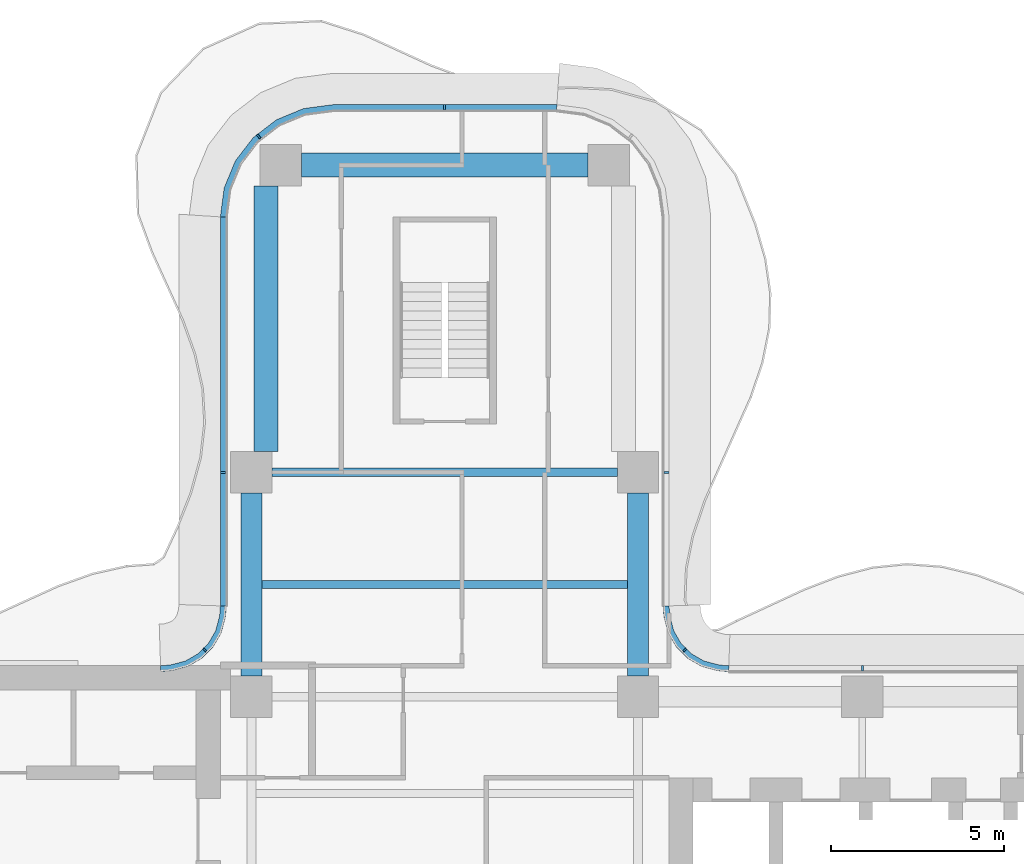
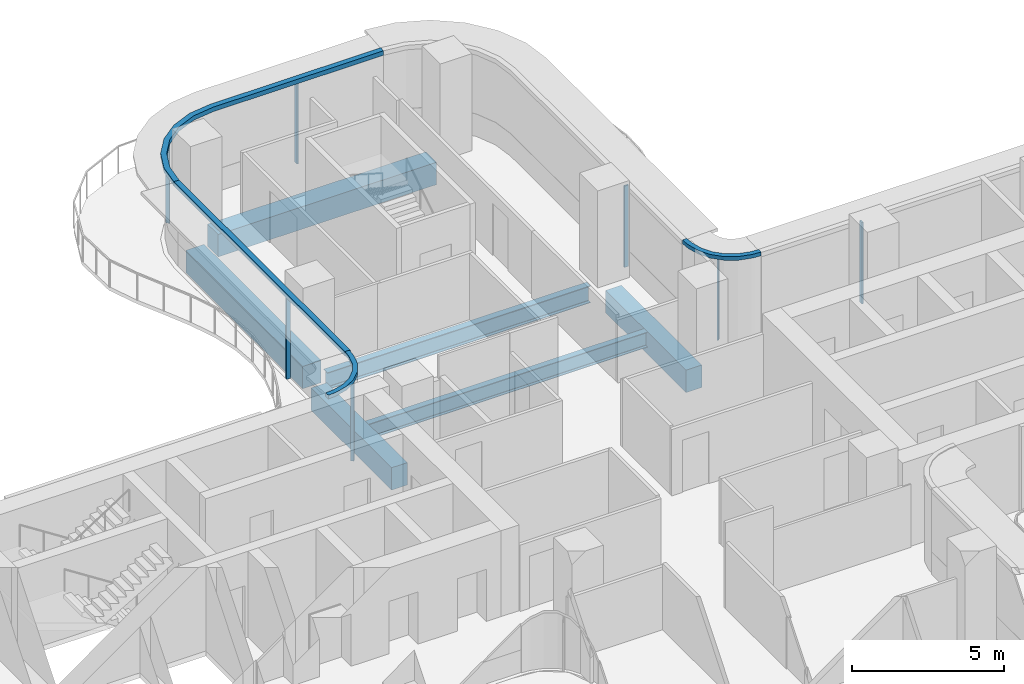
# One storey, part 7 of 17: 11 members, 6 beams, 6 elements without a shape of their own.
"""IFC4 building model written with IfcOpenShell, lengths in metres."""

from ifc_helpers import new_model, si_unit, direction, frame, origin, origin_2d, place, context, subcontext, project, spatial, polyline, rectangle, i_section, outline, extrude, source, transform, mapped, material, layer, layer_set, material_profile, profile_set, type_object, element, aggregate, save


model = new_model("IFC4")

# Units and contexts
model_context = context("Model", 3, precision=1e-05, world=origin(), true_north=direction((0.0, 1.0)))
body_context = subcontext(model_context, "Body", "Model", "MODEL_VIEW")
ifc_project = project(units=[si_unit("LENGTHUNIT", "METRE"), si_unit("AREAUNIT", "SQUARE_METRE"), si_unit("VOLUMEUNIT", "CUBIC_METRE"), si_unit("PLANEANGLEUNIT", "RADIAN"), si_unit("MASSUNIT", "GRAM", prefix="KILO")], contexts=[model_context])

# Site, building, storey
site_placement = place(None, origin())
site = spatial("IfcSite", under=ifc_project, at=site_placement, CompositionType="ELEMENT")
building_placement = place(site_placement, origin())
building = spatial("IfcBuilding", under=site, at=building_placement, Name="Trellis Farm Tower", CompositionType="ELEMENT")
storey_placement = place(building_placement, frame((0.0, 0.0, 208.800048828125)))
storey = spatial("IfcBuildingStorey", under=building, at=storey_placement, Name="L46", CompositionType="ELEMENT", Elevation=208.800048828125)

# Beams
ifc_material_1 = material(Name="Concrete C60/75", Category="concrete")
ifc_material_profile_1 = material_profile(ifc_material_1, rectangle(XDim=0.60009765625, YDim=0.89990234375, at=origin_2d()), Name="RC spandrel beam 600x900 C60/75")
ifc_profile_set_1 = profile_set([ifc_material_profile_1], Name="Concrete C60/75")
beam_type_1 = type_object("IfcBeamType", Name="RC spandrel beam 600x900 C60/75", PredefinedType="SPANDREL", material=ifc_profile_set_1)
shared_shape_1 = source(origin(), body_context, "Body", "SweptSolid", [
    extrude(rectangle(XDim=0.60009765625, YDim=0.89990234375, at=origin_2d()), origin(), (0.0, 0.0, 1.0), 5.300048828125),
])
for number, where, z_axis, x_axis, name in (
    (1, (-5.60009765625, 6.199951171875, -0.650146484375), (0.0, 1.0, 0.0), (-1.0, 0.0, 0.0), "Girder"),
    (2, (5.60009765625, 6.199951171875, -0.650146484375), (0.0, 1.0, 0.0), (-1.0, 0.0, 0.0), "Girder"),
):
    element("IfcBeam", number, at=place(storey_placement, frame(where, z_axis=z_axis, x_axis=x_axis)), inside=storey, type_object=beam_type_1, Name=name, PredefinedType="SPANDREL", context=body_context, shape_type="MappedRepresentation", body=[
        mapped(shared_shape_1, transform((0.0, 0.0, 0.0))),
    ])
ifc_material_2 = material(Name="Steel S355", Category="steel")
ifc_material_profile_2 = material_profile(ifc_material_2, i_section(OverallWidth=0.253662109375, OverallDepth=0.68359375, WebThickness=0.012451171875, FlangeThickness=0.021728515625, FilletRadius=0.01513671875, at=origin_2d()), Name="UB 686x254x140")
ifc_profile_set_2 = profile_set([ifc_material_profile_2], Name="Steel S355")
beam_type_2 = type_object("IfcBeamType", Name="UB 686x254x140", PredefinedType="BEAM", material=ifc_profile_set_2)
shared_shape_2 = source(origin(), body_context, "Body", "SweptSolid", [
    extrude(i_section(OverallWidth=0.253662109375, OverallDepth=0.68359375, WebThickness=0.012451171875, FlangeThickness=0.021728515625, FilletRadius=0.01513671875, at=origin_2d()), origin(), (0.0, 0.0, 1.0), 10.0),
])
beam_1_placement = place(storey_placement, frame((-5.0, 12.10009765625, -0.541748046875), z_axis=(1.0, 0.0, 0.0), x_axis=(0.0, 1.0, 0.0)))
element("IfcBeam", 3, at=beam_1_placement, inside=storey, type_object=beam_type_2, Name="Girder", PredefinedType="BEAM", context=body_context, shape_type="MappedRepresentation", body=[
    mapped(shared_shape_2, transform((0.0, 0.0, 0.0))),
])
ifc_material_profile_3 = material_profile(ifc_material_1, rectangle(XDim=0.699951171875, YDim=0.89990234375, at=origin_2d()), Name="RC spandrel beam 700x900 C60/75")
ifc_profile_set_3 = profile_set([ifc_material_profile_3], Name="Concrete C60/75")
beam_type_3 = type_object("IfcBeamType", Name="RC spandrel beam 700x900 C60/75", PredefinedType="SPANDREL", material=ifc_profile_set_3)
shared_shape_3 = source(origin(), body_context, "Body", "SweptSolid", [
    extrude(rectangle(XDim=0.699951171875, YDim=0.89990234375, at=origin_2d()), origin(), (0.0, 0.0, 1.0), 8.2998046875),
])
beam_2_placement = place(storey_placement, frame((-4.14990234375, 21.0, -0.650146484375), z_axis=(1.0, 0.0, 0.0), x_axis=(0.0, 1.0, 0.0)))
element("IfcBeam", 4, at=beam_2_placement, inside=storey, type_object=beam_type_3, Name="Girder", PredefinedType="SPANDREL", context=body_context, shape_type="MappedRepresentation", body=[
    mapped(shared_shape_3, transform((0.0, 0.0, 0.0))),
])
ifc_material_profile_4 = material_profile(ifc_material_2, i_section(OverallWidth=0.22900390625, OverallDepth=0.6123046875, WebThickness=0.011962890625, FlangeThickness=0.01953125, FilletRadius=0.0126953125, at=origin_2d()), Name="UB 610x229x125")
ifc_profile_set_4 = profile_set([ifc_material_profile_4], Name="Steel S355")
beam_type_4 = type_object("IfcBeamType", Name="UB 610x229x125 joist", PredefinedType="JOIST", material=ifc_profile_set_4)
shared_shape_4 = source(origin(), body_context, "Body", "SweptSolid", [
    extrude(i_section(OverallWidth=0.22900390625, OverallDepth=0.6123046875, WebThickness=0.011962890625, FlangeThickness=0.01953125, FilletRadius=0.0126953125, at=origin_2d()), origin(), (0.0, 0.0, 1.0), 10.60009765625),
])
beam_3_placement = place(storey_placement, frame((-5.300048828125, 8.85009765625, -0.506103515625), z_axis=(1.0, 0.0, 0.0), x_axis=(0.0, 1.0, 0.0)))
element("IfcBeam", 5, at=beam_3_placement, inside=storey, type_object=beam_type_4, Name="Floor beam", PredefinedType="JOIST", context=body_context, shape_type="MappedRepresentation", body=[
    mapped(shared_shape_4, transform((0.0, 0.0, 0.0))),
])
shared_shape_5 = source(origin(), body_context, "Body", "SweptSolid", [
    extrude(rectangle(XDim=0.699951171875, YDim=0.89990234375, at=origin_2d()), origin(), (0.0, 0.0, 1.0), 7.699951171875),
])
beam_4_placement = place(storey_placement, frame((-5.175048828125, 12.699951171875, -0.650146484375), z_axis=(0.0, 1.0, 0.0), x_axis=(-1.0, 0.0, 0.0)))
element("IfcBeam", 6, at=beam_4_placement, inside=storey, type_object=beam_type_3, Name="Girder", PredefinedType="SPANDREL", context=body_context, shape_type="MappedRepresentation", body=[
    mapped(shared_shape_5, transform((0.0, 0.0, 0.0))),
])

# Curtain wall, member
ifc_material_3 = material(Name="Aluminium and glass curtain wall", Category="aluminium")
ifc_layer_1 = layer(ifc_material_3, 0.166015625)
ifc_layer_set_1 = layer_set([ifc_layer_1], Name="WINTER GARDEN CURTAIN WALL CW3")
curtain_wall_type_1 = type_object("IfcCurtainWallType", Name="WINTER GARDEN CURTAIN WALL CW3", PredefinedType="NOTDEFINED", material=ifc_layer_set_1)
placement_1 = place(storey_placement, origin())
curtain_wall_1 = element("IfcCurtainWall", 7, at=placement_1, inside=storey, type_object=curtain_wall_type_1, Name="CW3 003", PredefinedType="NOTDEFINED")
ifc_material_4 = material(Name="Aluminium extrusion 6063-T6", Category="aluminium")
ifc_layer_2 = layer(ifc_material_4, 0.169921875)
ifc_layer_set_2 = layer_set([ifc_layer_2], Name="Aluminium extrusion 6063-T6")
member_type_1 = type_object("IfcMemberType", Name="CW3 TRANSOM 170x150", PredefinedType="USERDEFINED", material=ifc_layer_set_2)
shared_shape_6 = source(origin(), body_context, "Body", "SweptSolid", [
    extrude(outline(polyline([(8.2314453125, 6.5), (8.01953125, 6.513916015625), (7.91552734375, 6.527587890625), (7.508544921875, 6.63671875), (7.144287109375, 6.846923828125), (6.846923828125, 7.144287109375), (6.63671875, 7.508544921875), (6.527587890625, 7.91552734375), (6.513916015625, 8.01953125), (6.5, 8.2314453125), (6.330078125, 8.225830078125), (6.3447265625, 8.0029296875), (6.360595703125, 7.88232421875), (6.478271484375, 7.44287109375), (6.7109375, 7.0400390625), (7.0400390625, 6.7109375), (7.44287109375, 6.478271484375), (7.88232421875, 6.360595703125), (8.0029296875, 6.3447265625), (8.225830078125, 6.330078125), (8.2314453125, 6.5)])), origin(), (0.0, 0.0, 1.0), 0.14990234375),
])
placement_2 = place(storey_placement, frame((0.0, 0.0, 3.300048828125)))
member_1 = element("IfcMember", 8, at=placement_2, type_object=member_type_1, Name="TR3 003", ObjectType="TRANSOM", PredefinedType="USERDEFINED", context=body_context, shape_type="MappedRepresentation", body=[
    mapped(shared_shape_6, transform((0.0, 0.0, 0.0))),
])

curtain_wall_2 = element("IfcCurtainWall", 9, at=placement_1, inside=storey, type_object=curtain_wall_type_1, Name="CW3 004", PredefinedType="NOTDEFINED")
shared_shape_7 = source(origin(), body_context, "Body", "SweptSolid", [
    extrude(outline(polyline([(-6.5, 8.2314453125), (-6.513916015625, 8.01953125), (-6.527587890625, 7.91552734375), (-6.63671875, 7.508544921875), (-6.846923828125, 7.144287109375), (-7.144287109375, 6.846923828125), (-7.508544921875, 6.63671875), (-7.91552734375, 6.527587890625), (-8.01953125, 6.513916015625), (-8.2314453125, 6.5), (-8.225830078125, 6.330078125), (-8.0029296875, 6.3447265625), (-7.88232421875, 6.360595703125), (-7.44287109375, 6.478271484375), (-7.0400390625, 6.7109375), (-6.7109375, 7.0400390625), (-6.478271484375, 7.44287109375), (-6.360595703125, 7.88232421875), (-6.3447265625, 8.0029296875), (-6.330078125, 8.225830078125), (-6.5, 8.2314453125)])), origin(), (0.0, 0.0, 1.0), 0.14990234375),
])
member_2 = element("IfcMember", 10, at=placement_2, type_object=member_type_1, Name="TR3 004", ObjectType="TRANSOM", PredefinedType="USERDEFINED", context=body_context, shape_type="MappedRepresentation", body=[
    mapped(shared_shape_7, transform((0.0, 0.0, 0.0))),
])

ifc_layer_3 = layer(ifc_material_3, 0.18994140625)
ifc_layer_set_3 = layer_set([ifc_layer_3], Name="RIBBON CURTAIN WALL CW1")
curtain_wall_type_2 = type_object("IfcCurtainWallType", Name="RIBBON CURTAIN WALL CW1", PredefinedType="NOTDEFINED", material=ifc_layer_set_3)
curtain_wall_3 = element("IfcCurtainWall", 11, at=placement_1, inside=storey, type_object=curtain_wall_type_2, Name="CW1 010", PredefinedType="NOTDEFINED")
ifc_layer_4 = layer(ifc_material_4, 0.199951171875)
ifc_layer_set_4 = layer_set([ifc_layer_4], Name="Aluminium extrusion 6063-T6")
member_type_2 = type_object("IfcMemberType", Name="CW1 TRANSOM 200x180", PredefinedType="USERDEFINED", material=ifc_layer_set_4)
shared_shape_8 = source(origin(), body_context, "Body", "SweptSolid", [
    extrude(outline(polyline([(3.25, 22.75), (-3.25, 22.75), (-4.091064453125, 22.63916015625), (-4.875, 22.314697265625), (-5.548095703125, 21.798095703125), (-6.064697265625, 21.125), (-6.38916015625, 20.341064453125), (-6.5, 19.5), (-6.300048828125, 19.48681640625), (-6.1943359375, 20.2890625), (-5.889892578125, 21.024169921875), (-5.405517578125, 21.655517578125), (-4.774169921875, 22.139892578125), (-4.0390625, 22.4443359375), (-3.23681640625, 22.550048828125), (3.23681640625, 22.550048828125), (3.25, 22.75)])), origin(), (0.0, 0.0, 1.0), 0.179931640625),
])
placement_3 = place(storey_placement, frame((0.0, 0.0, 3.27001953125)))
member_3 = element("IfcMember", 12, at=placement_3, type_object=member_type_2, Name="TR1 010", ObjectType="TRANSOM", PredefinedType="USERDEFINED", context=body_context, shape_type="MappedRepresentation", body=[
    mapped(shared_shape_8, transform((0.0, 0.0, 0.0))),
])

curtain_wall_4 = element("IfcCurtainWall", 13, at=placement_1, inside=storey, type_object=curtain_wall_type_2, Name="CW1 011", PredefinedType="NOTDEFINED")
shared_shape_9 = source(origin(), body_context, "Body", "SweptSolid", [
    extrude(outline(polyline([(-6.5, 19.5), (-6.5, 8.2314453125), (-6.300048828125, 8.224853515625), (-6.300048828125, 19.48681640625), (-6.5, 19.5)])), origin(), (0.0, 0.0, 1.0), 0.179931640625),
])
member_4 = element("IfcMember", 14, at=placement_3, type_object=member_type_2, Name="TR1 011", ObjectType="TRANSOM", PredefinedType="USERDEFINED", context=body_context, shape_type="MappedRepresentation", body=[
    mapped(shared_shape_9, transform((0.0, 0.0, 0.0))),
])

curtain_wall_5 = element("IfcCurtainWall", 15, at=placement_1, inside=storey, type_object=curtain_wall_type_2, Name="CW1 008", PredefinedType="NOTDEFINED")
ifc_material_profile_5 = material_profile(ifc_material_4, rectangle(XDim=0.06005859375, YDim=0.14990234375, at=origin_2d()), Name="MULLION 60x150")
ifc_profile_set_5 = profile_set([ifc_material_profile_5], Name="Aluminium extrusion 6063-T6")
member_type_3 = type_object("IfcMemberType", Name="CW1 MULLION 60x150", PredefinedType="MULLION", material=ifc_profile_set_5)
shared_shape_10 = source(origin(), body_context, "Body", "SweptSolid", [
    extrude(rectangle(XDim=0.06005859375, YDim=0.14990234375, at=origin_2d()), origin(), (0.0, 0.0, 1.0), 3.27001953125),
])
member_5_placement = place(storey_placement, frame((12.10009765625, 6.425048828125, 0.0), z_axis=(0.0, 0.0, 1.0), x_axis=(-1.0, 0.0, 0.0)))
member_5 = element("IfcMember", 16, at=member_5_placement, type_object=member_type_3, Name="MU1 008-02", PredefinedType="MULLION", context=body_context, shape_type="MappedRepresentation", body=[
    mapped(shared_shape_10, transform((0.0, 0.0, 0.0))),
])
aggregate(curtain_wall_5, [member_5])

curtain_wall_6 = element("IfcCurtainWall", 17, at=placement_1, inside=storey, type_object=curtain_wall_type_2, Name="CW1 009", PredefinedType="NOTDEFINED")
member_6_placement = place(storey_placement, frame((6.425048828125, 12.10009765625, 0.0), z_axis=(0.0, 0.0, 1.0), x_axis=(0.0, 1.0, 0.0)))
member_6 = element("IfcMember", 18, at=member_6_placement, type_object=member_type_3, Name="MU1 009-01", PredefinedType="MULLION", context=body_context, shape_type="MappedRepresentation", body=[
    mapped(shared_shape_10, transform((0.0, 0.0, 0.0))),
])
aggregate(curtain_wall_6, [member_6])

# Member
member_7_placement = place(storey_placement, frame((0.0, 22.675048828125, 0.0), z_axis=(0.0, 0.0, 1.0), x_axis=(-1.0, 0.0, 0.0)))
member_7 = element("IfcMember", 19, at=member_7_placement, type_object=member_type_3, Name="MU1 010-01", PredefinedType="MULLION", context=body_context, shape_type="MappedRepresentation", body=[
    mapped(shared_shape_10, transform((0.0, 0.0, 0.0))),
])

member_8_placement = place(storey_placement, frame((-5.385498046875, 21.828369140625, 0.0), z_axis=(0.0, 0.0, 1.0), x_axis=(-0.793353340291, -0.608761429009, 0.0)))
member_8 = element("IfcMember", 20, at=member_8_placement, type_object=member_type_3, Name="MU1 010-02", PredefinedType="MULLION", context=body_context, shape_type="MappedRepresentation", body=[
    mapped(shared_shape_10, transform((0.0, 0.0, 0.0))),
])

aggregate(curtain_wall_3, [member_7, member_8, member_3])

member_9_placement = place(storey_placement, frame((-6.425048828125, 12.10009765625, 0.0), z_axis=(0.0, 0.0, 1.0), x_axis=(0.0, -1.0, 0.0)))
member_9 = element("IfcMember", 21, at=member_9_placement, type_object=member_type_3, Name="MU1 011-01", PredefinedType="MULLION", context=body_context, shape_type="MappedRepresentation", body=[
    mapped(shared_shape_10, transform((0.0, 0.0, 0.0))),
])

aggregate(curtain_wall_4, [member_9, member_4])

ifc_material_profile_6 = material_profile(ifc_material_4, rectangle(XDim=0.050048828125, YDim=0.1201171875, at=origin_2d()), Name="MULLION 50x120")
ifc_profile_set_6 = profile_set([ifc_material_profile_6], Name="Aluminium extrusion 6063-T6")
member_type_4 = type_object("IfcMemberType", Name="CW3 MULLION 50x120", PredefinedType="MULLION", material=ifc_profile_set_6)
shared_shape_11 = source(origin(), body_context, "Body", "SweptSolid", [
    extrude(rectangle(XDim=0.050048828125, YDim=0.1201171875, at=origin_2d()), origin(), (0.0, 0.0, 1.0), 3.300048828125),
])
member_10_placement = place(storey_placement, frame((6.953125, 6.953125, 0.0), z_axis=(0.0, 0.0, 1.0), x_axis=(-0.707106781187, 0.707106781187, 0.0)))
member_10 = element("IfcMember", 22, at=member_10_placement, type_object=member_type_4, Name="MU3 003-01", PredefinedType="MULLION", context=body_context, shape_type="MappedRepresentation", body=[
    mapped(shared_shape_11, transform((0.0, 0.0, 0.0))),
])

aggregate(curtain_wall_1, [member_10, member_1])

member_11_placement = place(storey_placement, frame((-6.953125, 6.953125, 0.0), z_axis=(0.0, 0.0, 1.0), x_axis=(-0.707106781187, -0.707106781187, 0.0)))
member_11 = element("IfcMember", 23, at=member_11_placement, type_object=member_type_4, Name="MU3 004-01", PredefinedType="MULLION", context=body_context, shape_type="MappedRepresentation", body=[
    mapped(shared_shape_11, transform((0.0, 0.0, 0.0))),
])

aggregate(curtain_wall_2, [member_11, member_2])

save(model, "model.ifc")
